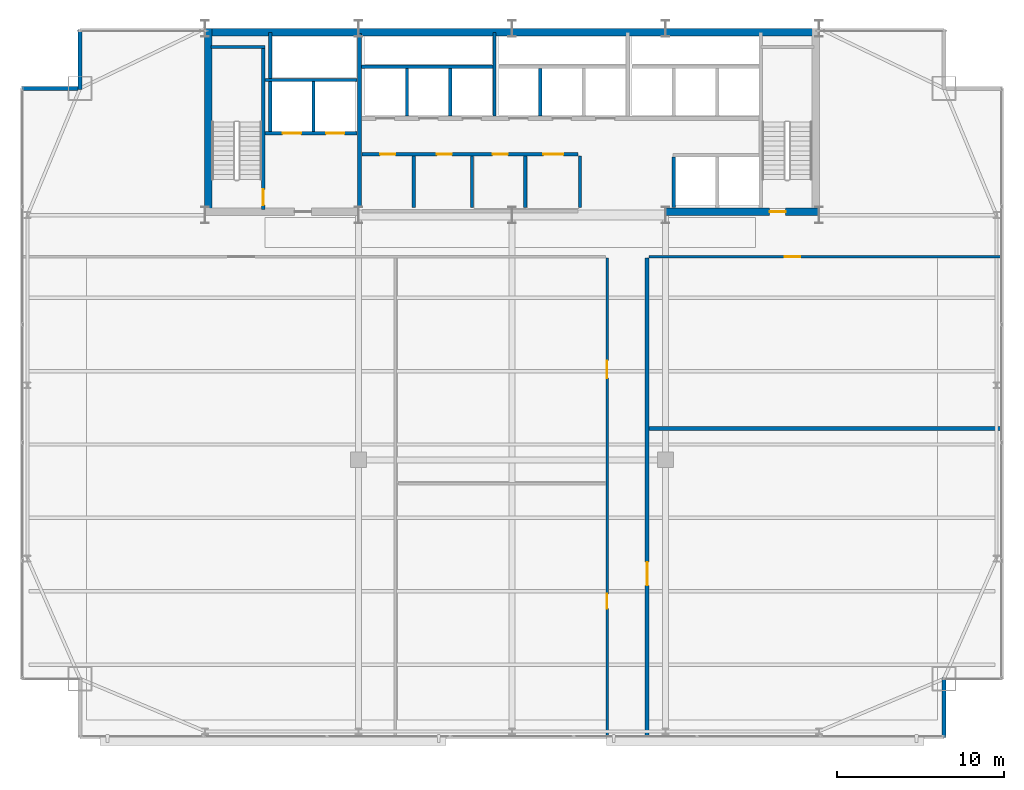
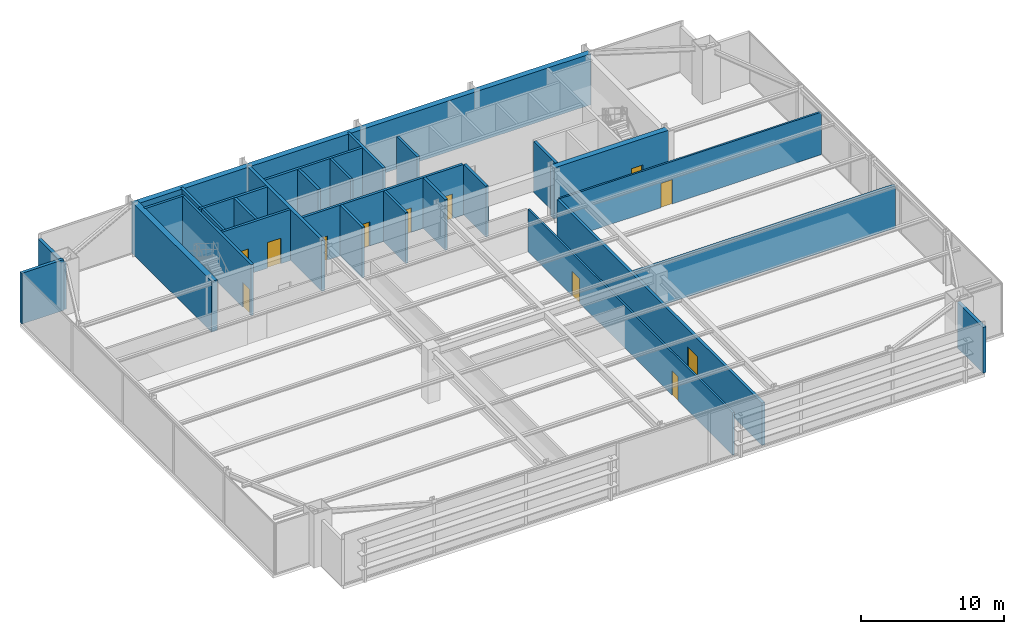
# One storey, part 29 of 32: 28 walls, 12 doors, 12 openings.
"""IFC4 building model written with IfcOpenShell, lengths in metres."""

from ifc_helpers import new_model, si_unit, direction, frame, frame_2d, origin, place, context, subcontext, project, spatial, rectangle, extrude, source, transform, mapped, material, layer, layer_set, type_object, type_shapes, element, fill, save


model = new_model("IFC4")

# Units and contexts
model_context = context("Model", 3, precision=1e-05, world=origin(), true_north=direction((0.0, 1.0)))
body_context = subcontext(model_context, "Body", "Model", "MODEL_VIEW")
ifc_project = project(units=[si_unit("LENGTHUNIT", "METRE"), si_unit("AREAUNIT", "SQUARE_METRE"), si_unit("VOLUMEUNIT", "CUBIC_METRE"), si_unit("PLANEANGLEUNIT", "RADIAN"), si_unit("MASSUNIT", "GRAM", prefix="KILO")], contexts=[model_context])

# Site, building, storey
site_placement = place(None, origin())
site = spatial("IfcSite", under=ifc_project, at=site_placement, CompositionType="ELEMENT")
building_placement = place(site_placement, origin())
building = spatial("IfcBuilding", under=site, at=building_placement, Name="Varnel Quay Broadcast Tower", CompositionType="ELEMENT")
storey_placement = place(building_placement, frame((0.0, 0.0, 98.39990234375)))
storey = spatial("IfcBuildingStorey", under=building, at=storey_placement, Name="L23", CompositionType="ELEMENT", Elevation=98.39990234375)

# Wall, opening, door
ifc_material_1 = material(Name="Concrete CSA A23.3 C50/60", Category="concrete")
ifc_layer_1 = layer(ifc_material_1, 0.199951171875, Name="Concrete CSA A23.3 C50/60")
ifc_layer_set_1 = layer_set([ifc_layer_1], Name="Concrete CSA A23.3 C50/60")
wall_type_1 = type_object("IfcWallType", Name="Wall_CoreShaftShear200", PredefinedType="SHEAR", material=ifc_layer_set_1)
wall_1_placement = place(storey_placement, frame((19.080078125, 35.949951171875, 0.0), z_axis=(0.0, 0.0, 1.0), x_axis=(0.0, 1.0, 0.0)))
wall_1 = element("IfcWall", 1, at=wall_1_placement, inside=storey, type_object=wall_type_1, Name="L23 Stair 1 East Structural Wall", PredefinedType="SHEAR", context=body_context, shape_type="SweptSolid", body=[
    extrude(rectangle(XDim=9.650146484375, YDim=0.199951171875, at=frame_2d((4.8251953125, 0.0))), origin(), (0.0, 0.0, 1.0), 4.35009765625),
])
opening_1_placement = place(wall_1_placement, frame((0.25, 0.0, 0.0)))
opening_1 = element("IfcOpeningElement", 2, at=opening_1_placement, cuts=wall_1, Name="Opening D-L23-S1", PredefinedType="OPENING", context=body_context, shape_type="SweptSolid", body=[
    extrude(rectangle(XDim=0.949951171875, YDim=2.10009765625, at=frame_2d((0.47509765625, 1.050048828125))), frame((0.0, 0.10986328125, 0.0), z_axis=(0.0, -1.0, 0.0), x_axis=(1.0, 0.0, 0.0)), (0.0, 0.0, 1.0), 0.219970703125),
])
ifc_material_2 = material(Name="Insulated Fire-Rated Hollow Steel Door", Category="steel")
door_type_1 = type_object("IfcDoorType", Name="Door_FireStair950", OperationType="NOTDEFINED", PredefinedType="DOOR", material=ifc_material_2)
shared_shape_1 = source(origin(), body_context, "Body", "SweptSolid", [
    extrude(rectangle(XDim=0.949951171875, YDim=2.10009765625, at=frame_2d((0.47509765625, 1.050048828125))), frame((0.0, 0.02490234375, 0.0), z_axis=(0.0, -1.0, 0.0), x_axis=(1.0, 0.0, 0.0)), (0.0, 0.0, 1.0), 0.050048828125),
])
type_shapes(door_type_1, [shared_shape_1])
door_1_placement = place(opening_1_placement, origin())
door_1 = element("IfcDoor", 3, at=door_1_placement, inside=storey, type_object=door_type_1, Name="L23 Stair 1 Fire Door", OperationType="SINGLE_SWING_LEFT", OverallHeight=2.10009765625, OverallWidth=0.949951171875, PredefinedType="DOOR", context=body_context, shape_type="MappedRepresentation", body=[
    mapped(shared_shape_1, transform((0.0, 0.0, 0.0), x_axis=(1.0, 0.0, 0.0), y_axis=(0.0, 1.0, 0.0), z_axis=(0.0, 0.0, 1.0), scale=1.0)),
])
fill(opening_1, door_1)

# Wall
wall_2_placement = place(storey_placement, frame((15.949951171875, 45.679931640625, 0.0), z_axis=(0.0, 0.0, 1.0), x_axis=(1.0, 0.0, 0.0)))
element("IfcWall", 4, at=wall_2_placement, inside=storey, type_object=wall_type_1, Name="L23 Stair 1 North Structural Wall", PredefinedType="SHEAR", context=body_context, shape_type="SweptSolid", body=[
    extrude(rectangle(XDim=3.22998046875, YDim=0.199951171875, at=frame_2d((1.614990234375, 0.0))), origin(), (0.0, 0.0, 1.0), 4.35009765625),
])

# Wall, openings, doors
wall_3_placement = place(storey_placement, frame((19.199951171875, 40.5, 0.0), z_axis=(0.0, 0.0, 1.0), x_axis=(1.0, 0.0, 0.0)))
wall_3 = element("IfcWall", 5, at=wall_3_placement, inside=storey, type_object=wall_type_1, Name="L23 Firefighter Lift Shaft Front Wall", PredefinedType="SHEAR", context=body_context, shape_type="SweptSolid", body=[
    extrude(rectangle(XDim=5.52001953125, YDim=0.199951171875, at=frame_2d((2.760009765625, 0.0))), origin(), (0.0, 0.0, 1.0), 4.35009765625),
])
opening_2_placement = place(wall_3_placement, frame((1.050048828125, 0.0, 0.0)))
opening_2 = element("IfcOpeningElement", 6, at=opening_2_placement, cuts=wall_3, Name="Opening LD-L23-FE1", PredefinedType="OPENING", context=body_context, shape_type="SweptSolid", body=[
    extrude(rectangle(XDim=1.10009765625, YDim=2.179931640625, at=frame_2d((0.550048828125, 1.08984375))), frame((0.0, 0.10986328125, 0.0), z_axis=(0.0, -1.0, 0.0), x_axis=(1.0, 0.0, 0.0)), (0.0, 0.0, 1.0), 0.219970703125),
])
opening_3_placement = place(wall_3_placement, frame((3.64990234375, 0.0, 0.0)))
opening_3 = element("IfcOpeningElement", 7, at=opening_3_placement, cuts=wall_3, Name="Opening LD-L23-FE2", PredefinedType="OPENING", context=body_context, shape_type="SweptSolid", body=[
    extrude(rectangle(XDim=1.10009765625, YDim=2.179931640625, at=frame_2d((0.550048828125, 1.08984375))), frame((0.0, 0.10986328125, 0.0), z_axis=(0.0, -1.0, 0.0), x_axis=(1.0, 0.0, 0.0)), (0.0, 0.0, 1.0), 0.219970703125),
])
ifc_material_3 = material(Name="Brushed Bronze-Stainless Lift Car & Sliding Doors", Category="steel")
door_type_2 = type_object("IfcDoorType", Name="Door_LiftLanding1100", OperationType="SLIDING_TO_LEFT", PredefinedType="DOOR", material=ifc_material_3)
shared_shape_2 = source(origin(), body_context, "Body", "SweptSolid", [
    extrude(rectangle(XDim=1.10009765625, YDim=2.179931640625, at=frame_2d((0.550048828125, 1.08984375))), frame((0.0, 0.02490234375, 0.0), z_axis=(0.0, -1.0, 0.0), x_axis=(1.0, 0.0, 0.0)), (0.0, 0.0, 1.0), 0.050048828125),
])
type_shapes(door_type_2, [shared_shape_2])
door_2_placement = place(opening_2_placement, frame((1.10009765625, 0.0, 0.0), z_axis=(0.0, 0.0, 1.0), x_axis=(-1.0, 0.0, 0.0)))
door_2 = element("IfcDoor", 8, at=door_2_placement, inside=storey, type_object=door_type_2, Name="L23 Firefighter Lift FE-01 Landing Door", OperationType="SLIDING_TO_LEFT", OverallHeight=2.179931640625, OverallWidth=1.10009765625, PredefinedType="DOOR", context=body_context, shape_type="MappedRepresentation", body=[
    mapped(shared_shape_2, transform((0.0, 0.0, 0.0), x_axis=(1.0, 0.0, 0.0), y_axis=(0.0, 1.0, 0.0), z_axis=(0.0, 0.0, 1.0), scale=1.0)),
])
fill(opening_2, door_2)
door_3_placement = place(opening_3_placement, frame((1.10009765625, 0.0, 0.0), z_axis=(0.0, 0.0, 1.0), x_axis=(-1.0, 0.0, 0.0)))
door_3 = element("IfcDoor", 9, at=door_3_placement, inside=storey, type_object=door_type_2, Name="L23 Firefighter Lift FE-02 Landing Door", OperationType="SLIDING_TO_RIGHT", OverallHeight=2.179931640625, OverallWidth=1.10009765625, PredefinedType="DOOR", context=body_context, shape_type="MappedRepresentation", body=[
    mapped(shared_shape_2, transform((0.0, 0.0, 0.0), x_axis=(1.0, 0.0, 0.0), y_axis=(0.0, 1.0, 0.0), z_axis=(0.0, 0.0, 1.0), scale=1.0)),
])
fill(opening_3, door_3)

# Walls
wall_4_placement = place(storey_placement, frame((19.199951171875, 43.699951171875, 0.0), z_axis=(0.0, 0.0, 1.0), x_axis=(1.0, 0.0, 0.0)))
element("IfcWall", 10, at=wall_4_placement, inside=storey, type_object=wall_type_1, Name="L23 Firefighter Lift Shaft Rear Wall", PredefinedType="SHEAR", context=body_context, shape_type="SweptSolid", body=[
    extrude(rectangle(XDim=5.52001953125, YDim=0.199951171875, at=frame_2d((2.760009765625, 0.0))), origin(), (0.0, 0.0, 1.0), 4.35009765625),
])
wall_5_placement = place(storey_placement, frame((22.10009765625, 40.60009765625, 0.0), z_axis=(0.0, 0.0, 1.0), x_axis=(0.0, 1.0, 0.0)))
element("IfcWall", 11, at=wall_5_placement, inside=storey, type_object=wall_type_1, Name="L23 Firefighter Lift Shaft Divider", PredefinedType="SHEAR", context=body_context, shape_type="SweptSolid", body=[
    extrude(rectangle(XDim=3.0, YDim=0.199951171875, at=frame_2d((1.5, 0.0))), origin(), (0.0, 0.0, 1.0), 4.35009765625),
])
wall_6_placement = place(storey_placement, frame((19.5, 40.60009765625, 0.0), z_axis=(0.0, 0.0, 1.0), x_axis=(0.0, 1.0, 0.0)))
element("IfcWall", 12, at=wall_6_placement, inside=storey, type_object=wall_type_1, Name="L23 Firefighter Lift Shaft West Wall", PredefinedType="SHEAR", context=body_context, shape_type="SweptSolid", body=[
    extrude(rectangle(XDim=5.949951171875, YDim=0.199951171875, at=frame_2d((2.97509765625, 0.0))), origin(), (0.0, 0.0, 1.0), 4.35009765625),
])
wall_7_placement = place(storey_placement, frame((24.97998046875, 44.5, 0.0), z_axis=(0.0, 0.0, 1.0), x_axis=(1.0, 0.0, 0.0)))
element("IfcWall", 13, at=wall_7_placement, inside=storey, type_object=wall_type_1, Name="L23 Low-Rise Lift Shaft Rear Wall", PredefinedType="SHEAR", context=body_context, shape_type="SweptSolid", body=[
    extrude(rectangle(XDim=7.8701171875, YDim=0.199951171875, at=frame_2d((3.93505859375, 0.0))), origin(), (0.0, 0.0, 1.0), 4.35009765625),
])
for number, where, z_axis, x_axis, name in (
    (14, (27.699951171875, 41.530029296875, 0.0), (0.0, 0.0, 1.0), (0.0, 1.0, 0.0), "L23 Low-Rise Lift Shaft Divider 1"),
    (15, (30.300048828125, 41.530029296875, 0.0), (0.0, 0.0, 1.0), (0.0, 1.0, 0.0), "L23 Low-Rise Lift Shaft Divider 2"),
):
    element("IfcWall", number, at=place(storey_placement, frame(where, z_axis=z_axis, x_axis=x_axis)), inside=storey, type_object=wall_type_1, Name=name, PredefinedType="SHEAR", context=body_context, shape_type="SweptSolid", body=[
        extrude(rectangle(XDim=2.869873046875, YDim=0.199951171875, at=frame_2d((1.43505859375, 0.0))), origin(), (0.0, 0.0, 1.0), 4.35009765625),
    ])
wall_8_placement = place(storey_placement, frame((32.949951171875, 41.530029296875, 0.0), z_axis=(0.0, 0.0, 1.0), x_axis=(0.0, 1.0, 0.0)))
element("IfcWall", 16, at=wall_8_placement, inside=storey, type_object=wall_type_1, Name="L23 Low-Rise Lift Shaft Divider 3", PredefinedType="SHEAR", context=body_context, shape_type="SweptSolid", body=[
    extrude(rectangle(XDim=5.02001953125, YDim=0.199951171875, at=frame_2d((2.510009765625, 0.0))), origin(), (0.0, 0.0, 1.0), 4.35009765625),
])
wall_9_placement = place(storey_placement, frame((35.699951171875, 41.530029296875, 0.0), z_axis=(0.0, 0.0, 1.0), x_axis=(0.0, 1.0, 0.0)))
element("IfcWall", 17, at=wall_9_placement, inside=storey, type_object=wall_type_1, Name="L23 Mid-Rise Lift Shaft Divider 2", PredefinedType="SHEAR", context=body_context, shape_type="SweptSolid", body=[
    extrude(rectangle(XDim=2.869873046875, YDim=0.199951171875, at=frame_2d((1.43505859375, 0.0))), origin(), (0.0, 0.0, 1.0), 4.35009765625),
])
wall_10_placement = place(storey_placement, frame((43.699951171875, 36.050048828125, 0.0), z_axis=(0.0, 0.0, 1.0), x_axis=(0.0, 1.0, 0.0)))
element("IfcWall", 18, at=wall_10_placement, inside=storey, type_object=wall_type_1, Name="L23 Express Lift Shaft West Wall", PredefinedType="SHEAR", context=body_context, shape_type="SweptSolid", body=[
    extrude(rectangle(XDim=3.050048828125, YDim=0.199951171875, at=frame_2d((1.52490234375, 0.0))), origin(), (0.0, 0.0, 1.0), 4.35009765625),
])
ifc_layer_2 = layer(ifc_material_1, 0.25, Name="Concrete CSA A23.3 C50/60")
ifc_layer_set_2 = layer_set([ifc_layer_2], Name="Concrete CSA A23.3 C50/60")
wall_type_2 = type_object("IfcWallType", Name="Wall_CoreShaftShear250", PredefinedType="SHEAR", material=ifc_layer_set_2)
wall_11_placement = place(storey_placement, frame((24.85009765625, 36.050048828125, 0.0), z_axis=(0.0, 0.0, 1.0), x_axis=(0.0, 1.0, 0.0)))
element("IfcWall", 19, at=wall_11_placement, inside=storey, type_object=wall_type_2, Name="L23 Firefighting Lobby East Structural Wall", PredefinedType="SHEAR", context=body_context, shape_type="SweptSolid", body=[
    extrude(rectangle(XDim=10.449951171875, YDim=0.25, at=frame_2d((5.22509765625, 0.0))), origin(), (0.0, 0.0, 1.0), 4.35009765625),
])
ifc_material_4 = material(Name="Concrete CSA A23.3 C60/75", Category="concrete")
ifc_layer_3 = layer(ifc_material_4, 0.449951171875, Name="Concrete CSA A23.3 C60/75")
ifc_layer_set_3 = layer_set([ifc_layer_3], Name="Concrete CSA A23.3 C60/75")
wall_type_3 = type_object("IfcWallType", Name="Wall_CoreShearExt450", PredefinedType="SHEAR", material=ifc_layer_set_3)
wall_12_placement = place(storey_placement, frame((15.60009765625, 46.574951171875, 0.0), z_axis=(0.0, 0.0, 1.0), x_axis=(1.0, 0.0, 0.0)))
element("IfcWall", 20, at=wall_12_placement, inside=storey, type_object=wall_type_3, Name="L23 North Core Shear Wall", PredefinedType="SHEAR", context=body_context, shape_type="SweptSolid", body=[
    extrude(rectangle(XDim=36.7998046875, YDim=0.449951171875, at=frame_2d((18.39990234375, 0.0))), origin(), (0.0, 0.0, 1.0), 4.35009765625),
])
ifc_layer_4 = layer(ifc_material_4, 0.449951171875, Name="Concrete CSA A23.3 C60/75")
ifc_layer_set_4 = layer_set([ifc_layer_4], Name="Concrete CSA A23.3 C60/75")
wall_type_4 = type_object("IfcWallType", Name="Wall_CoreShearInt450", PredefinedType="SHEAR", material=ifc_layer_set_4)
wall_13_placement = place(storey_placement, frame((15.794921875, 35.570068359375, 0.0), z_axis=(0.0, 0.0, 1.0), x_axis=(0.0, 1.0, 0.0)))
element("IfcWall", 21, at=wall_13_placement, inside=storey, type_object=wall_type_4, Name="L23 West Core Shear Wall", PredefinedType="SHEAR", context=body_context, shape_type="SweptSolid", body=[
    extrude(rectangle(XDim=11.22998046875, YDim=0.449951171875, at=frame_2d((5.614990234375, 0.0))), origin(), (0.0, 0.0, 1.0), 4.35009765625),
])

# Wall, opening, door
wall_14_placement = place(storey_placement, frame((43.199951171875, 35.794921875, 0.0), z_axis=(0.0, 0.0, 1.0), x_axis=(1.0, 0.0, 0.0)))
wall_14 = element("IfcWall", 22, at=wall_14_placement, inside=storey, type_object=wall_type_4, Name="L23 South-East Core Shear Wall", PredefinedType="SHEAR", context=body_context, shape_type="SweptSolid", body=[
    extrude(rectangle(XDim=9.22998046875, YDim=0.449951171875, at=frame_2d((4.614990234375, 0.0))), origin(), (0.0, 0.0, 1.0), 4.35009765625),
])
opening_4_placement = place(wall_14_placement, frame((6.25, 0.0, 0.0)))
opening_4 = element("IfcOpeningElement", 23, at=opening_4_placement, cuts=wall_14, Name="Opening D-L23-S2", PredefinedType="OPENING", context=body_context, shape_type="SweptSolid", body=[
    extrude(rectangle(XDim=0.949951171875, YDim=2.10009765625, at=frame_2d((0.47509765625, 1.050048828125))), frame((0.0, 0.23486328125, 0.0), z_axis=(0.0, -1.0, 0.0), x_axis=(1.0, 0.0, 0.0)), (0.0, 0.0, 1.0), 0.469970703125),
])
door_4_placement = place(opening_4_placement, origin())
door_4 = element("IfcDoor", 24, at=door_4_placement, inside=storey, type_object=door_type_1, Name="L23 Stair 2 Fire Door", OperationType="SINGLE_SWING_LEFT", OverallHeight=2.10009765625, OverallWidth=0.949951171875, PredefinedType="DOOR", context=body_context, shape_type="MappedRepresentation", body=[
    mapped(shared_shape_1, transform((0.0, 0.0, 0.0), x_axis=(1.0, 0.0, 0.0), y_axis=(0.0, 1.0, 0.0), z_axis=(0.0, 0.0, 1.0), scale=1.0)),
])
fill(opening_4, door_4)

# Walls
ifc_material_5 = material(Name="Precast Architectural Concrete C40/50", Category="concrete")
ifc_layer_5 = layer(ifc_material_5, 0.25, Name="Precast Architectural Concrete C40/50")
ifc_layer_set_5 = layer_set([ifc_layer_5], Name="Precast Architectural Concrete C40/50")
wall_type_5 = type_object("IfcWallType", Name="Wall_ExtTerrace250", PredefinedType="SOLIDWALL", material=ifc_layer_set_5)
wall_15_placement = place(storey_placement, frame((59.89990234375, 4.280029296875, 0.0), z_axis=(0.0, 0.0, 1.0), x_axis=(0.0, 1.0, 0.0)))
element("IfcWall", 25, at=wall_15_placement, inside=storey, type_object=wall_type_5, Name="L23 Mega-Column Notch Cladding Wall NSE2", PredefinedType="SOLIDWALL", context=body_context, shape_type="SweptSolid", body=[
    extrude(rectangle(XDim=3.599853515625, YDim=0.25, at=frame_2d((1.7998046875, 0.0))), origin(), (0.0, 0.0, 1.0), 3.908203125),
])
wall_16_placement = place(storey_placement, frame((4.580078125, 43.199951171875, 0.0), z_axis=(0.0, 0.0, 1.0), x_axis=(1.0, 0.0, 0.0)))
element("IfcWall", 26, at=wall_16_placement, inside=storey, type_object=wall_type_5, Name="L23 Mega-Column Notch Cladding Wall NNW1", PredefinedType="SOLIDWALL", context=body_context, shape_type="SweptSolid", body=[
    extrude(rectangle(XDim=3.389892578125, YDim=0.25, at=frame_2d((1.69482421875, 0.0))), origin(), (0.0, 0.0, 1.0), 4.330078125),
])
wall_17_placement = place(storey_placement, frame((8.10009765625, 43.1201171875, 0.0), z_axis=(0.0, 0.0, 1.0), x_axis=(0.0, 1.0, 0.0)))
element("IfcWall", 27, at=wall_17_placement, inside=storey, type_object=wall_type_5, Name="L23 Mega-Column Notch Cladding Wall NNW2", PredefinedType="SOLIDWALL", context=body_context, shape_type="SweptSolid", body=[
    extrude(rectangle(XDim=3.599853515625, YDim=0.25, at=frame_2d((1.7998046875, 0.0))), origin(), (0.0, 0.0, 1.0), 3.908203125),
])

# Wall, openings, doors
ifc_material_6 = material(Name="Concrete Blockwork Fire Enclosure C40/50", Category="masonry")
ifc_layer_6 = layer(ifc_material_6, 0.199951171875, Name="Concrete Blockwork Fire Enclosure C40/50")
ifc_layer_set_6 = layer_set([ifc_layer_6], Name="Concrete Blockwork Fire Enclosure C40/50")
wall_type_6 = type_object("IfcWallType", Name="Wall_FireShaft200", PredefinedType="SOLIDWALL", material=ifc_layer_set_6)
wall_18_placement = place(storey_placement, frame((25.0, 39.25, 0.0), z_axis=(0.0, 0.0, 1.0), x_axis=(1.0, 0.0, 0.0)))
wall_18 = element("IfcWall", 28, at=wall_18_placement, inside=storey, type_object=wall_type_6, Name="L23 Accessible Universal Washroom Partition 3", PredefinedType="SOLIDWALL", context=body_context, shape_type="SweptSolid", body=[
    extrude(rectangle(XDim=12.949951171875, YDim=0.199951171875, at=frame_2d((6.47509765625, 0.0))), origin(), (0.0, 0.0, 1.0), 4.330078125),
])
opening_5_placement = place(wall_18_placement, frame((1.10009765625, 0.0, 0.0)))
opening_5 = element("IfcOpeningElement", 29, at=opening_5_placement, cuts=wall_18, Name="Opening D-L23-01", PredefinedType="OPENING", context=body_context, shape_type="SweptSolid", body=[
    extrude(rectangle(XDim=0.89990234375, YDim=2.06005859375, at=frame_2d((0.449951171875, 1.030029296875))), frame((0.0, 0.10986328125, 0.0), z_axis=(0.0, -1.0, 0.0), x_axis=(1.0, 0.0, 0.0)), (0.0, 0.0, 1.0), 0.219970703125),
])
opening_6_placement = place(wall_18_placement, frame((4.5, 0.0, 0.0)))
opening_6 = element("IfcOpeningElement", 30, at=opening_6_placement, cuts=wall_18, Name="Opening D-L23-02", PredefinedType="OPENING", context=body_context, shape_type="SweptSolid", body=[
    extrude(rectangle(XDim=0.89990234375, YDim=2.06005859375, at=frame_2d((0.449951171875, 1.030029296875))), frame((0.0, 0.10986328125, 0.0), z_axis=(0.0, -1.0, 0.0), x_axis=(1.0, 0.0, 0.0)), (0.0, 0.0, 1.0), 0.219970703125),
])
opening_7_placement = place(wall_18_placement, frame((7.840087890625, 0.0, 0.0)))
opening_7 = element("IfcOpeningElement", 31, at=opening_7_placement, cuts=wall_18, Name="Opening D-L23-03", PredefinedType="OPENING", context=body_context, shape_type="SweptSolid", body=[
    extrude(rectangle(XDim=0.919921875, YDim=2.080078125, at=frame_2d((0.4599609375, 1.0400390625))), frame((0.0, 0.10986328125, 0.0), z_axis=(0.0, -1.0, 0.0), x_axis=(1.0, 0.0, 0.0)), (0.0, 0.0, 1.0), 0.219970703125),
])
opening_8_placement = place(wall_18_placement, frame((10.875, 0.0, 0.0)))
opening_8 = element("IfcOpeningElement", 32, at=opening_8_placement, cuts=wall_18, Name="Opening D-L23-04", PredefinedType="OPENING", context=body_context, shape_type="SweptSolid", body=[
    extrude(rectangle(XDim=1.199951171875, YDim=2.10009765625, at=frame_2d((0.60009765625, 1.050048828125))), frame((0.0, 0.10986328125, 0.0), z_axis=(0.0, -1.0, 0.0), x_axis=(1.0, 0.0, 0.0)), (0.0, 0.0, 1.0), 0.219970703125),
])
ifc_material_7 = material(Name="Solid-Core Fire-Rated Acoustic Oak Veneer Door", Category="wood")
door_type_3 = type_object("IfcDoorType", Name="Door_Washroom900", OperationType="NOTDEFINED", PredefinedType="DOOR", material=ifc_material_7)
shared_shape_3 = source(origin(), body_context, "Body", "SweptSolid", [
    extrude(rectangle(XDim=0.89990234375, YDim=2.06005859375, at=frame_2d((0.449951171875, 1.030029296875))), frame((0.0, 0.02490234375, 0.0), z_axis=(0.0, -1.0, 0.0), x_axis=(1.0, 0.0, 0.0)), (0.0, 0.0, 1.0), 0.050048828125),
])
type_shapes(door_type_3, [shared_shape_3])
door_5_placement = place(opening_5_placement, frame((0.89990234375, 0.0, 0.0), z_axis=(0.0, 0.0, 1.0), x_axis=(-1.0, 0.0, 0.0)))
door_5 = element("IfcDoor", 33, at=door_5_placement, inside=storey, type_object=door_type_3, Name="L23 Accessible Universal Washroom Door D-L23-01", OperationType="SINGLE_SWING_RIGHT", OverallHeight=2.06005859375, OverallWidth=0.89990234375, PredefinedType="DOOR", context=body_context, shape_type="MappedRepresentation", body=[
    mapped(shared_shape_3, transform((0.0, 0.0, 0.0), x_axis=(1.0, 0.0, 0.0), y_axis=(0.0, 1.0, 0.0), z_axis=(0.0, 0.0, 1.0), scale=1.0)),
])
fill(opening_5, door_5)
door_6_placement = place(opening_6_placement, frame((0.89990234375, 0.0, 0.0), z_axis=(0.0, 0.0, 1.0), x_axis=(-1.0, 0.0, 0.0)))
door_6 = element("IfcDoor", 34, at=door_6_placement, inside=storey, type_object=door_type_3, Name="L23 Staff Washroom Block Door D-L23-02", OperationType="SINGLE_SWING_LEFT", OverallHeight=2.06005859375, OverallWidth=0.89990234375, PredefinedType="DOOR", context=body_context, shape_type="MappedRepresentation", body=[
    mapped(shared_shape_3, transform((0.0, 0.0, 0.0), x_axis=(1.0, 0.0, 0.0), y_axis=(0.0, 1.0, 0.0), z_axis=(0.0, 0.0, 1.0), scale=1.0)),
])
fill(opening_6, door_6)
door_type_4 = type_object("IfcDoorType", Name="Door_Plant1200", OperationType="NOTDEFINED", PredefinedType="DOOR", material=ifc_material_2)
shared_shape_4 = source(origin(), body_context, "Body", "SweptSolid", [
    extrude(rectangle(XDim=1.199951171875, YDim=2.10009765625, at=frame_2d((0.60009765625, 1.050048828125))), frame((0.0, 0.02490234375, 0.0), z_axis=(0.0, -1.0, 0.0), x_axis=(1.0, 0.0, 0.0)), (0.0, 0.0, 1.0), 0.050048828125),
])
type_shapes(door_type_4, [shared_shape_4])
door_7_placement = place(opening_8_placement, origin())
door_7 = element("IfcDoor", 35, at=door_7_placement, inside=storey, type_object=door_type_4, Name="L23 Zone Lighting Dimmer Room Door D-L23-04", OperationType="SINGLE_SWING_LEFT", OverallHeight=2.10009765625, OverallWidth=1.199951171875, PredefinedType="DOOR", context=body_context, shape_type="MappedRepresentation", body=[
    mapped(shared_shape_4, transform((0.0, 0.0, 0.0), x_axis=(1.0, 0.0, 0.0), y_axis=(0.0, 1.0, 0.0), z_axis=(0.0, 0.0, 1.0), scale=1.0)),
])
fill(opening_8, door_7)
door_type_5 = type_object("IfcDoorType", Name="Door_Office920", OperationType="NOTDEFINED", PredefinedType="DOOR", material=ifc_material_7)
shared_shape_5 = source(origin(), body_context, "Body", "SweptSolid", [
    extrude(rectangle(XDim=0.919921875, YDim=2.080078125, at=frame_2d((0.4599609375, 1.0400390625))), frame((0.0, 0.02490234375, 0.0), z_axis=(0.0, -1.0, 0.0), x_axis=(1.0, 0.0, 0.0)), (0.0, 0.0, 1.0), 0.050048828125),
])
type_shapes(door_type_5, [shared_shape_5])
door_8_placement = place(opening_7_placement, frame((0.919921875, 0.0, 0.0), z_axis=(0.0, 0.0, 1.0), x_axis=(-1.0, 0.0, 0.0)))
door_8 = element("IfcDoor", 36, at=door_8_placement, inside=storey, type_object=door_type_5, Name="L23 Broadcast First-Aid & Quiet Room Door D-L23-03", OperationType="SINGLE_SWING_RIGHT", OverallHeight=2.080078125, OverallWidth=0.919921875, PredefinedType="DOOR", context=body_context, shape_type="MappedRepresentation", body=[
    mapped(shared_shape_5, transform((0.0, 0.0, 0.0), x_axis=(1.0, 0.0, 0.0), y_axis=(0.0, 1.0, 0.0), z_axis=(0.0, 0.0, 1.0), scale=1.0)),
])
fill(opening_7, door_8)

# Walls
for number, where, z_axis, x_axis, name in (
    (37, (34.800048828125, 36.050048828125, 0.0), (0.0, 0.0, 1.0), (0.0, 1.0, 0.0), "L23 Broadcast First-Aid & Quiet Room Partition 5"),
    (38, (38.074951171875, 36.050048828125, 0.0), (0.0, 0.0, 1.0), (0.0, 1.0, 0.0), "L23 Zone Lighting Dimmer Room Partition 6"),
):
    element("IfcWall", number, at=place(storey_placement, frame(where, z_axis=z_axis, x_axis=x_axis)), inside=storey, type_object=wall_type_6, Name=name, PredefinedType="SOLIDWALL", context=body_context, shape_type="SweptSolid", body=[
        extrude(rectangle(XDim=3.099853515625, YDim=0.199951171875, at=frame_2d((1.5498046875, 0.0))), origin(), (0.0, 0.0, 1.0), 4.330078125),
    ])

# Wall, openings, doors
ifc_material_8 = material(Name="Steel-Stud Fire-Rated Acoustic Gypsum Partition Assembly", Category="steel")
ifc_layer_7 = layer(ifc_material_8, 0.14990234375, Name="Steel-Stud Fire-Rated Acoustic Gypsum Partition Assembly")
ifc_layer_set_7 = layer_set([ifc_layer_7], Name="Steel-Stud Fire-Rated Acoustic Gypsum Partition Assembly")
wall_type_7 = type_object("IfcWallType", Name="Wall_Partition150", PredefinedType="PARTITIONING", material=ifc_layer_set_7)
wall_19_placement = place(storey_placement, frame((39.699951171875, 4.3798828125, 0.0), z_axis=(0.0, 0.0, 1.0), x_axis=(0.0, 1.0, 0.0)))
wall_19 = element("IfcWall", 39, at=wall_19_placement, inside=storey, type_object=wall_type_7, Name="L23 Editorial Espresso & Dining Bar Partition 9", PredefinedType="PARTITIONING", context=body_context, shape_type="SweptSolid", body=[
    extrude(rectangle(XDim=28.64501953125, YDim=0.14990234375, at=frame_2d((14.322509765625, 0.0))), origin(), (0.0, 0.0, 1.0), 3.630126953125),
])
opening_9_placement = place(wall_19_placement, frame((7.625, 0.0, 0.0)))
opening_9 = element("IfcOpeningElement", 40, at=opening_9_placement, cuts=wall_19, Name="Opening D-L23-06", PredefinedType="OPENING", context=body_context, shape_type="SweptSolid", body=[
    extrude(rectangle(XDim=0.8798828125, YDim=2.06005859375, at=frame_2d((0.43994140625, 1.030029296875))), frame((0.0, 0.0849609375, 0.0), z_axis=(0.0, -1.0, 0.0), x_axis=(1.0, 0.0, 0.0)), (0.0, 0.0, 1.0), 0.169921875),
])
opening_10_placement = place(wall_19_placement, frame((21.445068359375, 0.0, 0.0)))
opening_10 = element("IfcOpeningElement", 41, at=opening_10_placement, cuts=wall_19, Name="Opening D-L23-07", PredefinedType="OPENING", context=body_context, shape_type="SweptSolid", body=[
    extrude(rectangle(XDim=1.050048828125, YDim=2.10009765625, at=frame_2d((0.52490234375, 1.050048828125))), frame((0.0, 0.0849609375, 0.0), z_axis=(0.0, -1.0, 0.0), x_axis=(1.0, 0.0, 0.0)), (0.0, 0.0, 1.0), 0.169921875),
])
door_type_6 = type_object("IfcDoorType", Name="Door_Booth880", OperationType="NOTDEFINED", PredefinedType="DOOR", material=ifc_material_7)
shared_shape_6 = source(origin(), body_context, "Body", "SweptSolid", [
    extrude(rectangle(XDim=0.8798828125, YDim=2.06005859375, at=frame_2d((0.43994140625, 1.030029296875))), frame((0.0, 0.02490234375, 0.0), z_axis=(0.0, -1.0, 0.0), x_axis=(1.0, 0.0, 0.0)), (0.0, 0.0, 1.0), 0.050048828125),
])
type_shapes(door_type_6, [shared_shape_6])
door_9_placement = place(opening_9_placement, origin())
door_9 = element("IfcDoor", 42, at=door_9_placement, inside=storey, type_object=door_type_6, Name="L23 Editorial Espresso & Dining Bar Door D-L23-06", OperationType="SINGLE_SWING_RIGHT", OverallHeight=2.06005859375, OverallWidth=0.8798828125, PredefinedType="DOOR", context=body_context, shape_type="MappedRepresentation", body=[
    mapped(shared_shape_6, transform((0.0, 0.0, 0.0), x_axis=(1.0, 0.0, 0.0), y_axis=(0.0, 1.0, 0.0), z_axis=(0.0, 0.0, 1.0), scale=1.0)),
])
fill(opening_9, door_9)
door_type_7 = type_object("IfcDoorType", Name="Door_Meeting1050", OperationType="NOTDEFINED", PredefinedType="DOOR", material=ifc_material_7)
shared_shape_7 = source(origin(), body_context, "Body", "SweptSolid", [
    extrude(rectangle(XDim=1.050048828125, YDim=2.10009765625, at=frame_2d((0.52490234375, 1.050048828125))), frame((0.0, 0.02490234375, 0.0), z_axis=(0.0, -1.0, 0.0), x_axis=(1.0, 0.0, 0.0)), (0.0, 0.0, 1.0), 0.050048828125),
])
type_shapes(door_type_7, [shared_shape_7])
door_10_placement = place(opening_10_placement, origin())
door_10 = element("IfcDoor", 43, at=door_10_placement, inside=storey, type_object=door_type_7, Name="L23 Broadcast Pitch & Seminar Room Door D-L23-07", OperationType="SINGLE_SWING_LEFT", OverallHeight=2.10009765625, OverallWidth=1.050048828125, PredefinedType="DOOR", context=body_context, shape_type="MappedRepresentation", body=[
    mapped(shared_shape_7, transform((0.0, 0.0, 0.0), x_axis=(1.0, 0.0, 0.0), y_axis=(0.0, 1.0, 0.0), z_axis=(0.0, 0.0, 1.0), scale=1.0)),
])
fill(opening_10, door_10)

# Wall, opening, door
wall_20_placement = place(storey_placement, frame((42.199951171875, 33.10009765625, 0.0), z_axis=(0.0, 0.0, 1.0), x_axis=(1.0, 0.0, 0.0)))
wall_20 = element("IfcWall", 44, at=wall_20_placement, inside=storey, type_object=wall_type_7, Name="L23 Visitor Press Desk Partition 13", PredefinedType="PARTITIONING", context=body_context, shape_type="SweptSolid", body=[
    extrude(rectangle(XDim=21.1201171875, YDim=0.14990234375, at=frame_2d((10.56005859375, 0.0))), origin(), (0.0, 0.0, 1.0), 3.630126953125),
])
opening_11_placement = place(wall_20_placement, frame((8.1650390625, 0.0, 0.0)))
opening_11 = element("IfcOpeningElement", 45, at=opening_11_placement, cuts=wall_20, Name="Opening D-L23-09", PredefinedType="OPENING", context=body_context, shape_type="SweptSolid", body=[
    extrude(rectangle(XDim=0.919921875, YDim=2.080078125, at=frame_2d((0.4599609375, 1.0400390625))), frame((0.0, 0.0849609375, 0.0), z_axis=(0.0, -1.0, 0.0), x_axis=(1.0, 0.0, 0.0)), (0.0, 0.0, 1.0), 0.169921875),
])
door_11_placement = place(opening_11_placement, frame((0.919921875, 0.0, 0.0), z_axis=(0.0, 0.0, 1.0), x_axis=(-1.0, 0.0, 0.0)))
door_11 = element("IfcDoor", 46, at=door_11_placement, inside=storey, type_object=door_type_5, Name="L23 Visitor Press Desk Door D-L23-09", OperationType="SINGLE_SWING_RIGHT", OverallHeight=2.080078125, OverallWidth=0.919921875, PredefinedType="DOOR", context=body_context, shape_type="MappedRepresentation", body=[
    mapped(shared_shape_5, transform((0.0, 0.0, 0.0), x_axis=(1.0, 0.0, 0.0), y_axis=(0.0, 1.0, 0.0), z_axis=(0.0, 0.0, 1.0), scale=1.0)),
])
fill(opening_11, door_11)

# Wall
ifc_layer_8 = layer(ifc_material_8, 0.22509765625, Name="Steel-Stud Fire-Rated Acoustic Gypsum Partition Assembly")
ifc_layer_set_8 = layer_set([ifc_layer_8], Name="Steel-Stud Fire-Rated Acoustic Gypsum Partition Assembly")
wall_type_8 = type_object("IfcWallType", Name="Wall_Partition225", PredefinedType="PARTITIONING", material=ifc_layer_set_8)
wall_21_placement = place(storey_placement, frame((42.199951171875, 22.800048828125, 0.0), z_axis=(0.0, 0.0, 1.0), x_axis=(1.0, 0.0, 0.0)))
element("IfcWall", 47, at=wall_21_placement, inside=storey, type_object=wall_type_8, Name="L23 Media Town-Hall Commons Partition 11", PredefinedType="PARTITIONING", context=body_context, shape_type="SweptSolid", body=[
    extrude(rectangle(XDim=21.1201171875, YDim=0.22509765625, at=frame_2d((10.56005859375, 0.0))), origin(), (0.0, 0.0, 1.0), 3.630126953125),
])

# Wall, opening, door
wall_22_placement = place(storey_placement, frame((42.10009765625, 4.3798828125, 0.0), z_axis=(0.0, 0.0, 1.0), x_axis=(0.0, 1.0, 0.0)))
wall_22 = element("IfcWall", 48, at=wall_22_placement, inside=storey, type_object=wall_type_8, Name="L23 Media Town-Hall Commons Partition 12", PredefinedType="PARTITIONING", context=body_context, shape_type="SweptSolid", body=[
    extrude(rectangle(XDim=28.64501953125, YDim=0.22509765625, at=frame_2d((14.322509765625, 0.0))), origin(), (0.0, 0.0, 1.0), 3.630126953125),
])
opening_12_placement = place(wall_22_placement, frame((9.014892578125, 0.0, 0.0)))
opening_12 = element("IfcOpeningElement", 49, at=opening_12_placement, cuts=wall_22, Name="Opening D-L23-08", PredefinedType="OPENING", context=body_context, shape_type="SweptSolid", body=[
    extrude(rectangle(XDim=1.39990234375, YDim=2.1201171875, at=frame_2d((0.699951171875, 1.06005859375))), frame((0.0, 0.12255859375, 0.0), z_axis=(0.0, -1.0, 0.0), x_axis=(1.0, 0.0, 0.0)), (0.0, 0.0, 1.0), 0.2451171875),
])
door_type_8 = type_object("IfcDoorType", Name="Door_Gallery1400", OperationType="DOUBLE_DOOR_SINGLE_SWING", PredefinedType="DOOR", material=ifc_material_7)
shared_shape_8 = source(origin(), body_context, "Body", "SweptSolid", [
    extrude(rectangle(XDim=1.39990234375, YDim=2.1201171875, at=frame_2d((0.699951171875, 1.06005859375))), frame((0.0, 0.02490234375, 0.0), z_axis=(0.0, -1.0, 0.0), x_axis=(1.0, 0.0, 0.0)), (0.0, 0.0, 1.0), 0.050048828125),
])
type_shapes(door_type_8, [shared_shape_8])
door_12_placement = place(opening_12_placement, frame((1.39990234375, 0.0, 0.0), z_axis=(0.0, 0.0, 1.0), x_axis=(-1.0, 0.0, 0.0)))
door_12 = element("IfcDoor", 50, at=door_12_placement, inside=storey, type_object=door_type_8, Name="L23 Media Town-Hall Commons Door D-L23-08", OperationType="DOUBLE_DOOR_SINGLE_SWING", OverallHeight=2.1201171875, OverallWidth=1.39990234375, PredefinedType="DOOR", context=body_context, shape_type="MappedRepresentation", body=[
    mapped(shared_shape_8, transform((0.0, 0.0, 0.0), x_axis=(1.0, 0.0, 0.0), y_axis=(0.0, 1.0, 0.0), z_axis=(0.0, 0.0, 1.0), scale=1.0)),
])
fill(opening_12, door_12)

# Walls
ifc_material_9 = material(Name="Fire-Rated Moisture-Resistant Plumbing Chase Partition")
ifc_layer_9 = layer(ifc_material_9, 0.199951171875, Name="Fire-Rated Moisture-Resistant Plumbing Chase Partition")
ifc_layer_set_9 = layer_set([ifc_layer_9], Name="Fire-Rated Moisture-Resistant Plumbing Chase Partition")
wall_type_9 = type_object("IfcWallType", Name="Wall_Plumbing200", PredefinedType="PLUMBINGWALL", material=ifc_layer_set_9)
for number, where, z_axis, x_axis, name in (
    (51, (28.10009765625, 36.050048828125, 0.0), (0.0, 0.0, 1.0), (0.0, 1.0, 0.0), "L23 Accessible Universal Washroom Partition 2"),
    (52, (31.60009765625, 36.050048828125, 0.0), (0.0, 0.0, 1.0), (0.0, 1.0, 0.0), "L23 Staff Washroom Block Partition 4"),
):
    element("IfcWall", number, at=place(storey_placement, frame(where, z_axis=z_axis, x_axis=x_axis)), inside=storey, type_object=wall_type_9, Name=name, PredefinedType="PLUMBINGWALL", context=body_context, shape_type="SweptSolid", body=[
        extrude(rectangle(XDim=3.099853515625, YDim=0.199951171875, at=frame_2d((1.5498046875, 0.0))), origin(), (0.0, 0.0, 1.0), 4.330078125),
    ])

save(model, "model.ifc")
